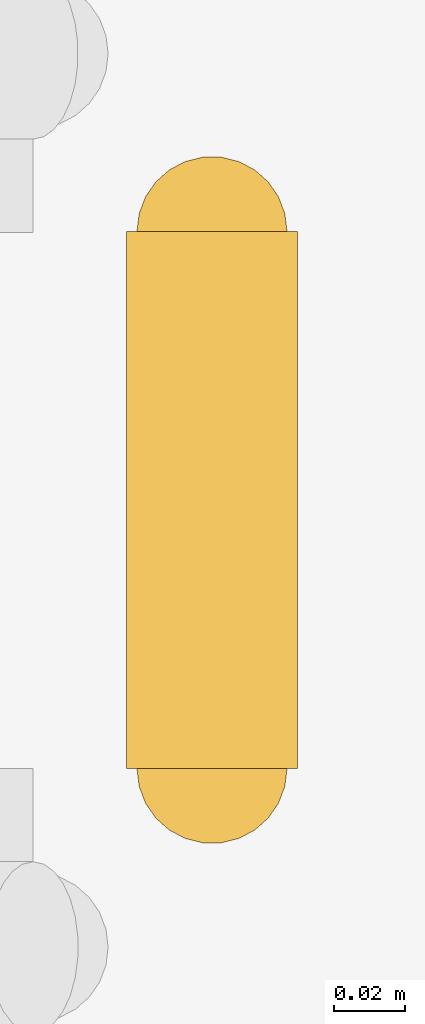
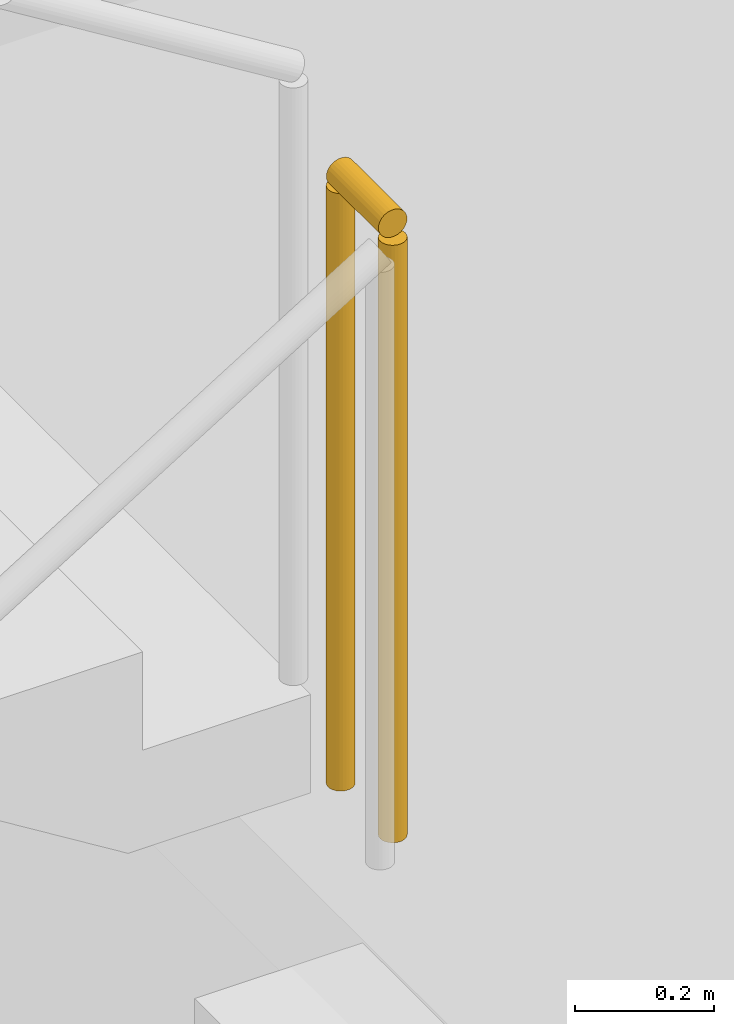
# One storey, part 34 of 36: 1 railing.
"""IFC4 building model written with IfcOpenShell, lengths in metres."""

from ifc_helpers import new_model, si_unit, direction, frame, origin, origin_2d, place, context, subcontext, project, spatial, circle, extrude, material, layer, layer_set, type_object, element, save


model = new_model("IFC4")

# Units and contexts
model_context = context("Model", 3, precision=1e-05, world=origin(), true_north=direction((0.0, 1.0)))
body_context = subcontext(model_context, "Body", "Model", "MODEL_VIEW")
ifc_project = project(units=[si_unit("LENGTHUNIT", "METRE"), si_unit("AREAUNIT", "SQUARE_METRE"), si_unit("VOLUMEUNIT", "CUBIC_METRE"), si_unit("PLANEANGLEUNIT", "RADIAN"), si_unit("MASSUNIT", "GRAM", prefix="KILO")], contexts=[model_context])

# Site, building, storey
site_placement = place(None, origin())
site = spatial("IfcSite", under=ifc_project, at=site_placement, CompositionType="ELEMENT")
building_placement = place(site_placement, origin())
building = spatial("IfcBuilding", under=site, at=building_placement, Name="Chiffa Square Polytechnic", CompositionType="ELEMENT")
storey_placement = place(building_placement, frame((0.0, 0.0, -4.5)))
storey = spatial("IfcBuildingStorey", under=building, at=storey_placement, Name="B1", CompositionType="ELEMENT", Elevation=-4.5)

# Railing
ifc_material = material(Name="Steel S355", Category="steel")
ifc_layer = layer(ifc_material, 0.050048828125, Name="Steel S355")
ifc_layer_set = layer_set([ifc_layer], Name="Steel S355")
railing_type = type_object("IfcRailingType", Name="RL-STAIR-GUARD", PredefinedType="GUARDRAIL", material=ifc_layer_set)
railing_placement = place(storey_placement, frame((127.110107421875, 106.949951171875, 2.25)))
element("IfcRailing", 1, at=railing_placement, inside=storey, type_object=railing_type, Name="B1 ST-B1E stair guard 2", PredefinedType="GUARDRAIL", context=body_context, shape_type="SweptSolid", body=[
    extrude(circle(Radius=0.02392578125, at=origin_2d()), frame((0.0, 0.0, 1.076171875), z_axis=(0.0, 1.0, 0.0), x_axis=(-1.0, 0.0, 0.0)), (0.0, 0.0, 1.0), 0.150146484375),
    extrude(circle(Radius=0.02099609375, at=origin_2d()), origin(), (0.0, 0.0, 1.0), 1.052001953125),
    extrude(circle(Radius=0.02099609375, at=origin_2d()), frame((0.0, 0.150146484375, 0.0)), (0.0, 0.0, 1.0), 1.052001953125),
])

save(model, "model.ifc")
